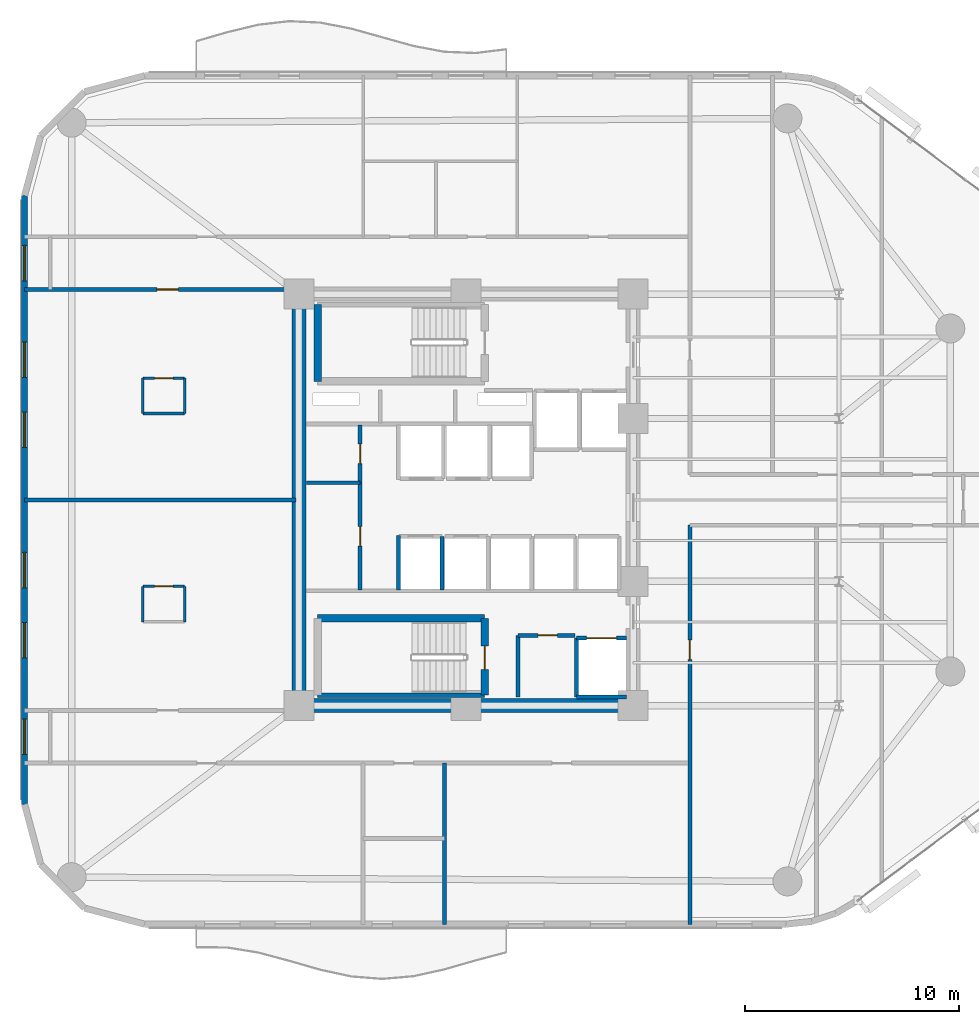
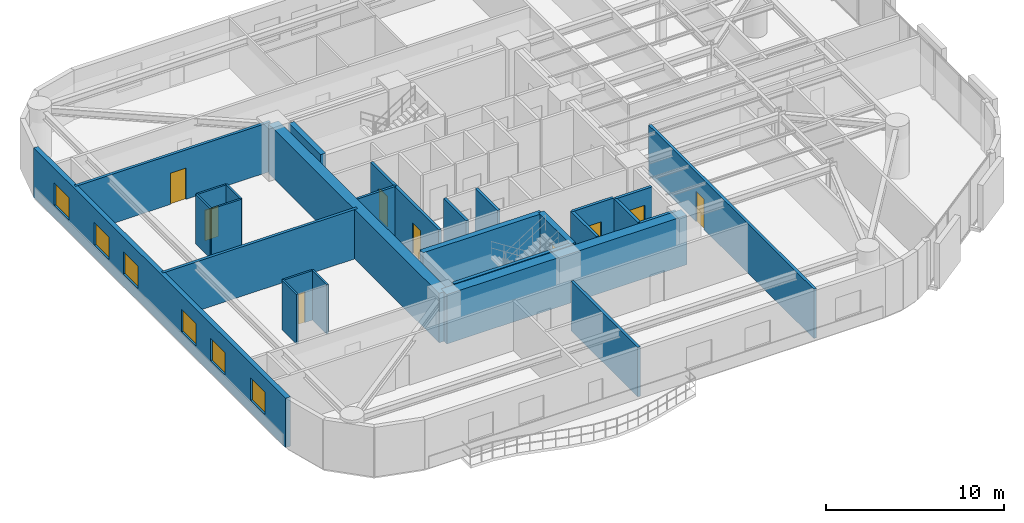
# One storey, part 10 of 16: 28 walls, 9 doors, 6 windows, 15 openings.
"""IFC4 building model written with IfcOpenShell, lengths in metres."""

from ifc_helpers import new_model, si_unit, direction, frame, frame_2d, origin, place, context, subcontext, project, spatial, rectangle, extrude, material, layer, layer_set, type_object, element, fill, save


model = new_model("IFC4")

# Units and contexts
model_context = context("Model", 3, precision=1e-05, world=origin(), true_north=direction((0.0, 1.0)))
body_context = subcontext(model_context, "Body", "Model", "MODEL_VIEW")
ifc_project = project(units=[si_unit("LENGTHUNIT", "METRE"), si_unit("AREAUNIT", "SQUARE_METRE"), si_unit("VOLUMEUNIT", "CUBIC_METRE"), si_unit("PLANEANGLEUNIT", "RADIAN"), si_unit("MASSUNIT", "GRAM", prefix="KILO")], contexts=[model_context])

# Site, building, storey
site_placement = place(None, origin())
site = spatial("IfcSite", under=ifc_project, at=site_placement, CompositionType="ELEMENT")
building_placement = place(site_placement, origin())
building = spatial("IfcBuilding", under=site, at=building_placement, Name="An Khanh Terracotta Commons", CompositionType="ELEMENT")
storey_placement = place(building_placement, frame((0.0, 0.0, 111.5)))
storey = spatial("IfcBuildingStorey", under=building, at=storey_placement, Name="L29", CompositionType="ELEMENT", Elevation=111.5)

# Walls
ifc_material_1 = material(Name="Concrete C60/75", Category="concrete")
ifc_layer_1 = layer(ifc_material_1, 0.64990234375, Name="Concrete C60/75")
ifc_layer_set_1 = layer_set([ifc_layer_1], Name="Concrete C60/75")
wall_type_1 = type_object("IfcWallType", Name="WALL-CORE-650", PredefinedType="SHEAR", material=ifc_layer_set_1)
wall_1_placement = place(storey_placement, frame((21.60009765625, 14.39990234375, 0.0), z_axis=(0.0, 0.0, 1.0), x_axis=(0.0, 1.0, 0.0)))
element("IfcWall", 1, at=wall_1_placement, inside=storey, type_object=wall_type_1, Name="L29 Core Wall CWALL-L29-W", PredefinedType="SHEAR", context=body_context, shape_type="SweptSolid", body=[
    extrude(rectangle(XDim=19.2001953125, YDim=0.64990234375, at=frame_2d((9.60009765625, 0.0))), origin(), (0.0, 0.0, 1.0), 3.39990234375),
])
wall_2_placement = place(storey_placement, frame((37.199951171875, 14.39990234375, 0.0), z_axis=(0.0, 0.0, 1.0), x_axis=(-1.0, 0.0, 0.0)))
element("IfcWall", 2, at=wall_2_placement, inside=storey, type_object=wall_type_1, Name="L29 Core Wall CWALL-L29-S", PredefinedType="SHEAR", context=body_context, shape_type="SweptSolid", body=[
    extrude(rectangle(XDim=15.599853515625, YDim=0.64990234375, at=frame_2d((7.7998046875, 0.0))), origin(), (0.0, 0.0, 1.0), 3.39990234375),
])

# Wall, opening, door
ifc_material_2 = material(Name="Fire-Rated Gypsum Board on Steel Stud", Category="steel")
ifc_layer_2 = layer(ifc_material_2, 0.179931640625, Name="Fire-Rated Gypsum Board on Steel Stud")
ifc_layer_set_2 = layer_set([ifc_layer_2], Name="Fire-Rated Gypsum Board on Steel Stud")
wall_type_2 = type_object("IfcWallType", Name="WALL-CORR-180", PredefinedType="PARTITIONING", material=ifc_layer_set_2)
wall_3_placement = place(storey_placement, frame((31.820068359375, 17.679931640625, 0.0), z_axis=(0.0, 0.0, 1.0), x_axis=(1.0, 0.0, 0.0)))
wall_3 = element("IfcWall", 3, at=wall_3_placement, inside=storey, type_object=wall_type_2, Name="L29 Core Wall SSVCW-L29-N", PredefinedType="PARTITIONING", context=body_context, shape_type="SweptSolid", body=[
    extrude(rectangle(XDim=2.659912109375, YDim=0.179931640625, at=frame_2d((1.330078125, 0.0))), origin(), (0.0, 0.0, 1.0), 3.39990234375),
])
opening_1_placement = place(wall_3_placement, frame((0.949951171875, 0.0, 0.0)))
opening_1 = element("IfcOpeningElement", 4, at=opening_1_placement, cuts=wall_3, Name="Opening D-SV", PredefinedType="OPENING", context=body_context, shape_type="SweptSolid", body=[
    extrude(rectangle(XDim=0.89990234375, YDim=2.050048828125, at=frame_2d((0.449951171875, 1.02490234375))), frame((0.0, 0.099853515625, 0.0), z_axis=(0.0, -1.0, 0.0), x_axis=(1.0, 0.0, 0.0)), (0.0, 0.0, 1.0), 0.199951171875),
])
ifc_material_3 = material(Name="Fire-Rated Powder-Coated Steel Door", Category="steel")
door_type_1 = type_object("IfcDoorType", Name="DOOR-SERV-900", OperationType="NOTDEFINED", PredefinedType="DOOR", material=ifc_material_3)
door_1_placement = place(opening_1_placement, origin())
door_1 = element("IfcDoor", 5, at=door_1_placement, inside=storey, type_object=door_type_1, Name="L29 Core Housekeeping Store Door", OperationType="SINGLE_SWING_LEFT", OverallHeight=2.050048828125, OverallWidth=0.89990234375, PredefinedType="DOOR", context=body_context, shape_type="SweptSolid", body=[
    extrude(rectangle(XDim=0.89990234375, YDim=2.050048828125, at=frame_2d((0.449951171875, 1.02490234375))), frame((0.0, 0.02490234375, 0.0), z_axis=(0.0, -1.0, 0.0), x_axis=(1.0, 0.0, 0.0)), (0.0, 0.0, 1.0), 0.050048828125),
])
fill(opening_1, door_1)

# Wall
wall_4_placement = place(storey_placement, frame((31.820068359375, 14.800048828125, 0.0), z_axis=(0.0, 0.0, 1.0), x_axis=(0.0, 1.0, 0.0)))
element("IfcWall", 6, at=wall_4_placement, inside=storey, type_object=wall_type_2, Name="L29 Core Wall SSVCW-L29-W", PredefinedType="PARTITIONING", context=body_context, shape_type="SweptSolid", body=[
    extrude(rectangle(XDim=2.8798828125, YDim=0.179931640625, at=frame_2d((1.43994140625, 0.0))), origin(), (0.0, 0.0, 1.0), 3.39990234375),
])

# Wall, opening, door
wall_5_placement = place(storey_placement, frame((34.550048828125, 17.550048828125, 0.0), z_axis=(0.0, 0.0, 1.0), x_axis=(1.0, 0.0, 0.0)))
wall_5 = element("IfcWall", 7, at=wall_5_placement, inside=storey, type_object=wall_type_2, Name="L29 Core Wall LSH-L29-SVL-01-N", PredefinedType="PARTITIONING", context=body_context, shape_type="SweptSolid", body=[
    extrude(rectangle(XDim=2.349853515625, YDim=0.179931640625, at=frame_2d((1.1748046875, 0.0))), origin(), (0.0, 0.0, 1.0), 3.39990234375),
])
opening_2_placement = place(wall_5_placement, frame((0.47509765625, 0.0, 0.0)))
opening_2 = element("IfcOpeningElement", 8, at=opening_2_placement, cuts=wall_5, Name="Opening LD-SVL-01-L29", PredefinedType="OPENING", context=body_context, shape_type="SweptSolid", body=[
    extrude(rectangle(XDim=1.39990234375, YDim=2.300048828125, at=frame_2d((0.699951171875, 1.14990234375))), frame((0.0, 0.099853515625, 0.0), z_axis=(0.0, -1.0, 0.0), x_axis=(1.0, 0.0, 0.0)), (0.0, 0.0, 1.0), 0.199951171875),
])
ifc_material_4 = material(Name="Heavy-Duty Stainless Steel Goods Landing Door", Category="steel")
door_type_2 = type_object("IfcDoorType", Name="DOOR-LD-SVL-1400", OperationType="NOTDEFINED", PredefinedType="DOOR", material=ifc_material_4)
door_2_placement = place(opening_2_placement, origin())
door_2 = element("IfcDoor", 9, at=door_2_placement, inside=storey, type_object=door_type_2, Name="L29 Lift SVL-01 Sliding Landing Door", OperationType="DOUBLE_DOOR_SLIDING", OverallHeight=2.300048828125, OverallWidth=1.39990234375, PredefinedType="DOOR", context=body_context, shape_type="SweptSolid", body=[
    extrude(rectangle(XDim=1.39990234375, YDim=2.300048828125, at=frame_2d((0.699951171875, 1.14990234375))), frame((0.0, 0.02490234375, 0.0), z_axis=(0.0, -1.0, 0.0), x_axis=(1.0, 0.0, 0.0)), (0.0, 0.0, 1.0), 0.050048828125),
])
fill(opening_2, door_2)

# Walls
wall_6_placement = place(storey_placement, frame((36.89990234375, 14.800048828125, 0.0), z_axis=(0.0, 0.0, 1.0), x_axis=(-1.0, 0.0, 0.0)))
element("IfcWall", 10, at=wall_6_placement, inside=storey, type_object=wall_type_2, Name="L29 Core Wall LSH-L29-SVL-01-S", PredefinedType="PARTITIONING", context=body_context, shape_type="SweptSolid", body=[
    extrude(rectangle(XDim=2.349853515625, YDim=0.179931640625, at=frame_2d((1.1748046875, 0.0))), origin(), (0.0, 0.0, 1.0), 3.39990234375),
])
wall_7_placement = place(storey_placement, frame((34.550048828125, 17.550048828125, 0.0), z_axis=(0.0, 0.0, 1.0), x_axis=(0.0, -1.0, 0.0)))
element("IfcWall", 11, at=wall_7_placement, inside=storey, type_object=wall_type_2, Name="L29 Core Wall LSH-L29-SVL-01-W", PredefinedType="PARTITIONING", context=body_context, shape_type="SweptSolid", body=[
    extrude(rectangle(XDim=2.75, YDim=0.179931640625, at=frame_2d((1.375, 0.0))), origin(), (0.0, 0.0, 1.0), 3.39990234375),
])
wall_8_placement = place(storey_placement, frame((28.280029296875, 19.800048828125, 0.0), z_axis=(0.0, 0.0, 1.0), x_axis=(0.0, 1.0, 0.0)))
element("IfcWall", 12, at=wall_8_placement, inside=storey, type_object=wall_type_2, Name="L29 Core Wall LSH-L29-PL-M3-E", PredefinedType="PARTITIONING", context=body_context, shape_type="SweptSolid", body=[
    extrude(rectangle(XDim=2.5, YDim=0.179931640625, at=frame_2d((1.25, 0.0))), origin(), (0.0, 0.0, 1.0), 3.39990234375),
])

# Wall, opening, door
wall_9_placement = place(storey_placement, frame((24.4599609375, 24.800048828125, 0.0), z_axis=(0.0, 0.0, 1.0), x_axis=(0.0, 1.0, 0.0)))
wall_9 = element("IfcWall", 13, at=wall_9_placement, inside=storey, type_object=wall_type_2, Name="L29 Core Wall RECW-L29-E1", PredefinedType="PARTITIONING", context=body_context, shape_type="SweptSolid", body=[
    extrude(rectangle(XDim=2.699951171875, YDim=0.179931640625, at=frame_2d((1.35009765625, 0.0))), origin(), (0.0, 0.0, 1.0), 3.39990234375),
])
opening_3_placement = place(wall_9_placement, frame((0.889892578125, 0.0, 0.0)))
opening_3 = element("IfcOpeningElement", 14, at=opening_3_placement, cuts=wall_9, Name="Opening D-RM", PredefinedType="OPENING", context=body_context, shape_type="SweptSolid", body=[
    extrude(rectangle(XDim=0.919921875, YDim=2.10009765625, at=frame_2d((0.4599609375, 1.050048828125))), frame((0.0, 0.099853515625, 0.0), z_axis=(0.0, -1.0, 0.0), x_axis=(1.0, 0.0, 0.0)), (0.0, 0.0, 1.0), 0.199951171875),
])
ifc_material_5 = material(Name="Engineered Hardwood Timber Leaf", Category="wood")
door_type_3 = type_object("IfcDoorType", Name="DOOR-INT-920", OperationType="NOTDEFINED", PredefinedType="DOOR", material=ifc_material_5)
door_3_placement = place(opening_3_placement, origin())
door_3 = element("IfcDoor", 15, at=door_3_placement, inside=storey, type_object=door_type_3, Name="L29 Floor Pantry and Ice Room Door", OperationType="SINGLE_SWING_RIGHT", OverallHeight=2.10009765625, OverallWidth=0.919921875, PredefinedType="DOOR", context=body_context, shape_type="SweptSolid", body=[
    extrude(rectangle(XDim=0.919921875, YDim=2.10009765625, at=frame_2d((0.4599609375, 1.050048828125))), frame((0.0, 0.02490234375, 0.0), z_axis=(0.0, -1.0, 0.0), x_axis=(1.0, 0.0, 0.0)), (0.0, 0.0, 1.0), 0.050048828125),
])
fill(opening_3, door_3)

wall_10_placement = place(storey_placement, frame((24.4599609375, 19.800048828125, 0.0), z_axis=(0.0, 0.0, 1.0), x_axis=(0.0, 1.0, 0.0)))
wall_10 = element("IfcWall", 16, at=wall_10_placement, inside=storey, type_object=wall_type_2, Name="L29 Core Wall RECW-L29-E2", PredefinedType="PARTITIONING", context=body_context, shape_type="SweptSolid", body=[
    extrude(rectangle(XDim=5.0, YDim=0.179931640625, at=frame_2d((2.5, 0.0))), origin(), (0.0, 0.0, 1.0), 3.39990234375),
])
opening_4_placement = place(wall_10_placement, frame((2.0400390625, 0.0, 0.0)))
opening_4 = element("IfcOpeningElement", 17, at=opening_4_placement, cuts=wall_10, Name="Opening D-RM", PredefinedType="OPENING", context=body_context, shape_type="SweptSolid", body=[
    extrude(rectangle(XDim=0.919921875, YDim=2.10009765625, at=frame_2d((0.4599609375, 1.050048828125))), frame((0.0, 0.099853515625, 0.0), z_axis=(0.0, -1.0, 0.0), x_axis=(1.0, 0.0, 0.0)), (0.0, 0.0, 1.0), 0.199951171875),
])
door_4_placement = place(opening_4_placement, origin())
door_4 = element("IfcDoor", 18, at=door_4_placement, inside=storey, type_object=door_type_3, Name="L29 Luggage Locker Room Door", OperationType="SINGLE_SWING_LEFT", OverallHeight=2.10009765625, OverallWidth=0.919921875, PredefinedType="DOOR", context=body_context, shape_type="SweptSolid", body=[
    extrude(rectangle(XDim=0.919921875, YDim=2.10009765625, at=frame_2d((0.4599609375, 1.050048828125))), frame((0.0, 0.02490234375, 0.0), z_axis=(0.0, -1.0, 0.0), x_axis=(1.0, 0.0, 0.0)), (0.0, 0.0, 1.0), 0.050048828125),
])
fill(opening_4, door_4)

# Walls
wall_11_placement = place(storey_placement, frame((26.25, 19.800048828125, 0.0), z_axis=(0.0, 0.0, 1.0), x_axis=(0.0, 1.0, 0.0)))
element("IfcWall", 19, at=wall_11_placement, inside=storey, type_object=wall_type_2, Name="L29 Core Wall RECW-L29-BE2", PredefinedType="PARTITIONING", context=body_context, shape_type="SweptSolid", body=[
    extrude(rectangle(XDim=2.550048828125, YDim=0.179931640625, at=frame_2d((1.27490234375, 0.0))), origin(), (0.0, 0.0, 1.0), 3.39990234375),
])
wall_12_placement = place(storey_placement, frame((8.800048828125, 24.0, 0.0), z_axis=(0.0, 0.0, 1.0), x_axis=(1.0, 0.0, 0.0)))
element("IfcWall", 20, at=wall_12_placement, inside=storey, type_object=wall_type_2, Name="L29 Interior Partition IW-L29-E005", PredefinedType="PARTITIONING", context=body_context, shape_type="SweptSolid", body=[
    extrude(rectangle(XDim=12.679931640625, YDim=0.179931640625, at=frame_2d((6.33984375, 0.0))), origin(), (0.0, 0.0, 1.0), 3.39990234375),
])

# Wall, opening, door
wall_13_placement = place(storey_placement, frame((8.800048828125, 33.820068359375, 0.0), z_axis=(0.0, 0.0, 1.0), x_axis=(1.0, 0.0, 0.0)))
wall_13 = element("IfcWall", 21, at=wall_13_placement, inside=storey, type_object=wall_type_2, Name="L29 Interior Partition IW-L29-E007", PredefinedType="PARTITIONING", context=body_context, shape_type="SweptSolid", body=[
    extrude(rectangle(XDim=12.679931640625, YDim=0.179931640625, at=frame_2d((6.33984375, 0.0))), origin(), (0.0, 0.0, 1.0), 3.39990234375),
])
opening_5_placement = place(wall_13_placement, frame((6.179931640625, 0.0, 0.0)))
opening_5 = element("IfcOpeningElement", 22, at=opening_5_placement, cuts=wall_13, Name="Opening D-UN", PredefinedType="OPENING", context=body_context, shape_type="SweptSolid", body=[
    extrude(rectangle(XDim=1.0, YDim=2.14990234375, at=frame_2d((0.5, 1.074951171875))), frame((0.0, 0.099853515625, 0.0), z_axis=(0.0, -1.0, 0.0), x_axis=(1.0, 0.0, 0.0)), (0.0, 0.0, 1.0), 0.199951171875),
])
ifc_material_6 = material(Name="Solid-Core Hardwood Acoustic Fire Door", Category="wood")
door_type_4 = type_object("IfcDoorType", Name="DOOR-UNIT-1000", OperationType="NOTDEFINED", PredefinedType="DOOR", material=ifc_material_6)
door_5_placement = place(opening_5_placement, origin())
door_5 = element("IfcDoor", 23, at=door_5_placement, inside=storey, type_object=door_type_4, Name="L29 WW2 Kitchenette and Studio Apartment Door", OperationType="SINGLE_SWING_LEFT", OverallHeight=2.14990234375, OverallWidth=1.0, PredefinedType="DOOR", context=body_context, shape_type="SweptSolid", body=[
    extrude(rectangle(XDim=1.0, YDim=2.14990234375, at=frame_2d((0.5, 1.074951171875))), frame((0.0, 0.02490234375, 0.0), z_axis=(0.0, -1.0, 0.0), x_axis=(1.0, 0.0, 0.0)), (0.0, 0.0, 1.0), 0.050048828125),
])
fill(opening_5, door_5)

# Wall
wall_14_placement = place(storey_placement, frame((28.39990234375, 4.199951171875, 0.0), z_axis=(0.0, 0.0, 1.0), x_axis=(0.0, 1.0, 0.0)))
element("IfcWall", 24, at=wall_14_placement, inside=storey, type_object=wall_type_2, Name="L29 Interior Partition IW-L29-E015", PredefinedType="PARTITIONING", context=body_context, shape_type="SweptSolid", body=[
    extrude(rectangle(XDim=7.52001953125, YDim=0.179931640625, at=frame_2d((3.760009765625, 0.0))), origin(), (0.0, 0.0, 1.0), 3.39990234375),
])

# Wall, opening, door
wall_15_placement = place(storey_placement, frame((39.85009765625, 4.199951171875, 0.0), z_axis=(0.0, 0.0, 1.0), x_axis=(0.0, 1.0, 0.0)))
wall_15 = element("IfcWall", 25, at=wall_15_placement, inside=storey, type_object=wall_type_2, Name="L29 Interior Partition IW-L29-E017", PredefinedType="PARTITIONING", context=body_context, shape_type="SweptSolid", body=[
    extrude(rectangle(XDim=18.6201171875, YDim=0.179931640625, at=frame_2d((9.31005859375, 0.0))), origin(), (0.0, 0.0, 1.0), 3.39990234375),
])
opening_6_placement = place(wall_15_placement, frame((12.35009765625, 0.0, 0.0)))
opening_6 = element("IfcOpeningElement", 26, at=opening_6_placement, cuts=wall_15, Name="Opening D-RM", PredefinedType="OPENING", context=body_context, shape_type="SweptSolid", body=[
    extrude(rectangle(XDim=0.919921875, YDim=2.10009765625, at=frame_2d((0.4599609375, 1.050048828125))), frame((0.0, 0.099853515625, 0.0), z_axis=(0.0, -1.0, 0.0), x_axis=(1.0, 0.0, 0.0)), (0.0, 0.0, 1.0), 0.199951171875),
])
door_6_placement = place(opening_6_placement, origin())
door_6 = element("IfcDoor", 27, at=door_6_placement, inside=storey, type_object=door_type_3, Name="L29 SB1 Collaborative Study Lounge Door", OperationType="SINGLE_SWING_LEFT", OverallHeight=2.10009765625, OverallWidth=0.919921875, PredefinedType="DOOR", context=body_context, shape_type="SweptSolid", body=[
    extrude(rectangle(XDim=0.919921875, YDim=2.10009765625, at=frame_2d((0.4599609375, 1.050048828125))), frame((0.0, 0.02490234375, 0.0), z_axis=(0.0, -1.0, 0.0), x_axis=(1.0, 0.0, 0.0)), (0.0, 0.0, 1.0), 0.050048828125),
])
fill(opening_6, door_6)

# Wall, openings, windows
ifc_material_7 = material(Name="Precast concrete C40/50", Category="concrete")
ifc_layer_3 = layer(ifc_material_7, 0.300048828125, Name="Precast concrete C40/50")
ifc_layer_set_3 = layer_set([ifc_layer_3], Name="Precast concrete C40/50")
wall_type_3 = type_object("IfcWallType", Name="WALL-EXT-300", PredefinedType="SOLIDWALL", material=ifc_layer_set_3)
wall_16_placement = place(storey_placement, frame((8.800048828125, 38.199951171875, 0.0), z_axis=(0.0, 0.0, 1.0), x_axis=(0.0, -1.0, 0.0)))
wall_16 = element("IfcWall", 28, at=wall_16_placement, inside=storey, type_object=wall_type_3, Name="L29 Insulated Terracotta Exterior Wall 24", PredefinedType="SOLIDWALL", context=body_context, shape_type="SweptSolid", body=[
    extrude(rectangle(XDim=28.39990234375, YDim=0.300048828125, at=frame_2d((14.199951171875, 0.0))), origin(), (0.0, 0.0, 1.0), 3.39990234375),
])
opening_7_placement = place(wall_16_placement, frame((2.324951171875, 0.0, 0.85009765625)))
opening_7 = element("IfcOpeningElement", 29, at=opening_7_placement, cuts=wall_16, Name="Opening W-02", PredefinedType="OPENING", context=body_context, shape_type="SweptSolid", body=[
    extrude(rectangle(XDim=1.64990234375, YDim=1.550048828125, at=frame_2d((0.824951171875, 0.77490234375))), frame((0.0, 0.159912109375, 0.0), z_axis=(0.0, -1.0, 0.0), x_axis=(1.0, 0.0, 0.0)), (0.0, 0.0, 1.0), 0.320068359375),
])
opening_8_placement = place(wall_16_placement, frame((6.827880859375, 0.0, 0.85009765625)))
opening_8 = element("IfcOpeningElement", 30, at=opening_8_placement, cuts=wall_16, Name="Opening W-02", PredefinedType="OPENING", context=body_context, shape_type="SweptSolid", body=[
    extrude(rectangle(XDim=1.64990234375, YDim=1.550048828125, at=frame_2d((0.824951171875, 0.77490234375))), frame((0.0, 0.159912109375, 0.0), z_axis=(0.0, -1.0, 0.0), x_axis=(1.0, 0.0, 0.0)), (0.0, 0.0, 1.0), 0.320068359375),
])
opening_9_placement = place(wall_16_placement, frame((10.10205078125, 0.0, 0.85009765625)))
opening_9 = element("IfcOpeningElement", 31, at=opening_9_placement, cuts=wall_16, Name="Opening W-02", PredefinedType="OPENING", context=body_context, shape_type="SweptSolid", body=[
    extrude(rectangle(XDim=1.64990234375, YDim=1.550048828125, at=frame_2d((0.824951171875, 0.77490234375))), frame((0.0, 0.159912109375, 0.0), z_axis=(0.0, -1.0, 0.0), x_axis=(1.0, 0.0, 0.0)), (0.0, 0.0, 1.0), 0.320068359375),
])
opening_10_placement = place(wall_16_placement, frame((16.64794921875, 0.0, 0.85009765625)))
opening_10 = element("IfcOpeningElement", 32, at=opening_10_placement, cuts=wall_16, Name="Opening W-02", PredefinedType="OPENING", context=body_context, shape_type="SweptSolid", body=[
    extrude(rectangle(XDim=1.64990234375, YDim=1.550048828125, at=frame_2d((0.824951171875, 0.77490234375))), frame((0.0, 0.159912109375, 0.0), z_axis=(0.0, -1.0, 0.0), x_axis=(1.0, 0.0, 0.0)), (0.0, 0.0, 1.0), 0.320068359375),
])
opening_11_placement = place(wall_16_placement, frame((19.922119140625, 0.0, 0.85009765625)))
opening_11 = element("IfcOpeningElement", 33, at=opening_11_placement, cuts=wall_16, Name="Opening W-02", PredefinedType="OPENING", context=body_context, shape_type="SweptSolid", body=[
    extrude(rectangle(XDim=1.64990234375, YDim=1.550048828125, at=frame_2d((0.824951171875, 0.77490234375))), frame((0.0, 0.159912109375, 0.0), z_axis=(0.0, -1.0, 0.0), x_axis=(1.0, 0.0, 0.0)), (0.0, 0.0, 1.0), 0.320068359375),
])
opening_12_placement = place(wall_16_placement, frame((24.425048828125, 0.0, 0.85009765625)))
opening_12 = element("IfcOpeningElement", 34, at=opening_12_placement, cuts=wall_16, Name="Opening W-02", PredefinedType="OPENING", context=body_context, shape_type="SweptSolid", body=[
    extrude(rectangle(XDim=1.64990234375, YDim=1.550048828125, at=frame_2d((0.824951171875, 0.77490234375))), frame((0.0, 0.159912109375, 0.0), z_axis=(0.0, -1.0, 0.0), x_axis=(1.0, 0.0, 0.0)), (0.0, 0.0, 1.0), 0.320068359375),
])
ifc_material_8 = material(Name="Thermally Broken Aluminium and Low-E Glass", Category="aluminium")
window_type = type_object("IfcWindowType", Name="WIN-Z2-1650x1550", PartitioningType="DOUBLE_PANEL_VERTICAL", PredefinedType="WINDOW", material=ifc_material_8)
window_1_placement = place(opening_7_placement, origin())
window_1 = element("IfcWindow", 35, at=window_1_placement, inside=storey, type_object=window_type, Name="L29 Operable Casement Window 24.1", OverallHeight=1.550048828125, OverallWidth=1.64990234375, PartitioningType="DOUBLE_PANEL_VERTICAL", PredefinedType="WINDOW", context=body_context, shape_type="SweptSolid", body=[
    extrude(rectangle(XDim=1.64990234375, YDim=1.550048828125, at=frame_2d((0.824951171875, 0.77490234375))), frame((0.0, 0.030029296875, 0.0), z_axis=(0.0, -1.0, 0.0), x_axis=(1.0, 0.0, 0.0)), (0.0, 0.0, 1.0), 0.06005859375),
])
fill(opening_7, window_1)
window_2_placement = place(opening_8_placement, origin())
window_2 = element("IfcWindow", 36, at=window_2_placement, inside=storey, type_object=window_type, Name="L29 Operable Casement Window 24.2", OverallHeight=1.550048828125, OverallWidth=1.64990234375, PartitioningType="DOUBLE_PANEL_VERTICAL", PredefinedType="WINDOW", context=body_context, shape_type="SweptSolid", body=[
    extrude(rectangle(XDim=1.64990234375, YDim=1.550048828125, at=frame_2d((0.824951171875, 0.77490234375))), frame((0.0, 0.030029296875, 0.0), z_axis=(0.0, -1.0, 0.0), x_axis=(1.0, 0.0, 0.0)), (0.0, 0.0, 1.0), 0.06005859375),
])
fill(opening_8, window_2)
window_3_placement = place(opening_9_placement, origin())
window_3 = element("IfcWindow", 37, at=window_3_placement, inside=storey, type_object=window_type, Name="L29 Operable Casement Window 24.3", OverallHeight=1.550048828125, OverallWidth=1.64990234375, PartitioningType="DOUBLE_PANEL_VERTICAL", PredefinedType="WINDOW", context=body_context, shape_type="SweptSolid", body=[
    extrude(rectangle(XDim=1.64990234375, YDim=1.550048828125, at=frame_2d((0.824951171875, 0.77490234375))), frame((0.0, 0.030029296875, 0.0), z_axis=(0.0, -1.0, 0.0), x_axis=(1.0, 0.0, 0.0)), (0.0, 0.0, 1.0), 0.06005859375),
])
fill(opening_9, window_3)
window_4_placement = place(opening_10_placement, origin())
window_4 = element("IfcWindow", 38, at=window_4_placement, inside=storey, type_object=window_type, Name="L29 Operable Casement Window 24.4", OverallHeight=1.550048828125, OverallWidth=1.64990234375, PartitioningType="DOUBLE_PANEL_VERTICAL", PredefinedType="WINDOW", context=body_context, shape_type="SweptSolid", body=[
    extrude(rectangle(XDim=1.64990234375, YDim=1.550048828125, at=frame_2d((0.824951171875, 0.77490234375))), frame((0.0, 0.030029296875, 0.0), z_axis=(0.0, -1.0, 0.0), x_axis=(1.0, 0.0, 0.0)), (0.0, 0.0, 1.0), 0.06005859375),
])
fill(opening_10, window_4)
window_5_placement = place(opening_11_placement, origin())
window_5 = element("IfcWindow", 39, at=window_5_placement, inside=storey, type_object=window_type, Name="L29 Operable Casement Window 24.5", OverallHeight=1.550048828125, OverallWidth=1.64990234375, PartitioningType="DOUBLE_PANEL_VERTICAL", PredefinedType="WINDOW", context=body_context, shape_type="SweptSolid", body=[
    extrude(rectangle(XDim=1.64990234375, YDim=1.550048828125, at=frame_2d((0.824951171875, 0.77490234375))), frame((0.0, 0.030029296875, 0.0), z_axis=(0.0, -1.0, 0.0), x_axis=(1.0, 0.0, 0.0)), (0.0, 0.0, 1.0), 0.06005859375),
])
fill(opening_11, window_5)
window_6_placement = place(opening_12_placement, origin())
window_6 = element("IfcWindow", 40, at=window_6_placement, inside=storey, type_object=window_type, Name="L29 Operable Casement Window 24.6", OverallHeight=1.550048828125, OverallWidth=1.64990234375, PartitioningType="DOUBLE_PANEL_VERTICAL", PredefinedType="WINDOW", context=body_context, shape_type="SweptSolid", body=[
    extrude(rectangle(XDim=1.64990234375, YDim=1.550048828125, at=frame_2d((0.824951171875, 0.77490234375))), frame((0.0, 0.030029296875, 0.0), z_axis=(0.0, -1.0, 0.0), x_axis=(1.0, 0.0, 0.0)), (0.0, 0.0, 1.0), 0.06005859375),
])
fill(opening_12, window_6)

# Walls
ifc_material_9 = material(Name="Acoustic Gypsum Board Partition")
ifc_layer_4 = layer(ifc_material_9, 0.14990234375, Name="Acoustic Gypsum Board Partition")
ifc_layer_set_4 = layer_set([ifc_layer_4], Name="Acoustic Gypsum Board Partition")
wall_type_4 = type_object("IfcWallType", Name="WALL-PART-150", PredefinedType="PARTITIONING", material=ifc_layer_set_4)
wall_17_placement = place(storey_placement, frame((21.949951171875, 24.800048828125, 0.0), z_axis=(0.0, 0.0, 1.0), x_axis=(1.0, 0.0, 0.0)))
element("IfcWall", 41, at=wall_17_placement, inside=storey, type_object=wall_type_4, Name="L29 Core Wall RECW-L29-M", PredefinedType="PARTITIONING", context=body_context, shape_type="SweptSolid", body=[
    extrude(rectangle(XDim=2.510009765625, YDim=0.14990234375, at=frame_2d((1.2548828125, 0.0))), origin(), (0.0, 0.0, 1.0), 3.39990234375),
])
ifc_material_10 = material(Name="Acoustic Double-Stud Gypsum and Mineral Wool")
ifc_layer_5 = layer(ifc_material_10, 0.219970703125, Name="Acoustic Double-Stud Gypsum and Mineral Wool")
ifc_layer_set_5 = layer_set([ifc_layer_5], Name="Acoustic Double-Stud Gypsum and Mineral Wool")
wall_type_5 = type_object("IfcWallType", Name="WALL-PARTY-220", PredefinedType="PARTITIONING", material=ifc_layer_set_5)
wall_18_placement = place(storey_placement, frame((22.47998046875, 14.889892578125, 0.0), z_axis=(0.0, 0.0, 1.0), x_axis=(1.0, 0.0, 0.0)))
element("IfcWall", 42, at=wall_18_placement, inside=storey, type_object=wall_type_5, Name="L29 Core Wall STW-L29-S-S", PredefinedType="PARTITIONING", context=body_context, shape_type="SweptSolid", body=[
    extrude(rectangle(XDim=7.7900390625, YDim=0.219970703125, at=frame_2d((3.89501953125, 0.0))), origin(), (0.0, 0.0, 1.0), 3.39990234375),
])
ifc_material_11 = material(Name="Concrete C50/60", Category="concrete")
ifc_layer_6 = layer(ifc_material_11, 0.35009765625, Name="Concrete C50/60")
ifc_layer_set_6 = layer_set([ifc_layer_6], Name="Concrete C50/60")
wall_type_6 = type_object("IfcWallType", Name="WALL-SHAFT-350", PredefinedType="SOLIDWALL", material=ifc_layer_set_6)
wall_19_placement = place(storey_placement, frame((22.47998046875, 29.530029296875, 0.0), z_axis=(0.0, 0.0, 1.0), x_axis=(0.0, 1.0, 0.0)))
element("IfcWall", 43, at=wall_19_placement, inside=storey, type_object=wall_type_6, Name="L29 Core Wall STW-L29-N-W", PredefinedType="SOLIDWALL", context=body_context, shape_type="SweptSolid", body=[
    extrude(rectangle(XDim=3.580078125, YDim=0.35009765625, at=frame_2d((1.7900390625, 0.0))), origin(), (0.0, 0.0, 1.0), 3.39990234375),
])
wall_20_placement = place(storey_placement, frame((22.47998046875, 18.469970703125, 0.0), z_axis=(0.0, 0.0, 1.0), x_axis=(1.0, 0.0, 0.0)))
element("IfcWall", 44, at=wall_20_placement, inside=storey, type_object=wall_type_6, Name="L29 Core Wall STW-L29-S-N", PredefinedType="SOLIDWALL", context=body_context, shape_type="SweptSolid", body=[
    extrude(rectangle(XDim=7.7900390625, YDim=0.35009765625, at=frame_2d((3.89501953125, 0.0))), origin(), (0.0, 0.0, 1.0), 3.39990234375),
])

# Wall, opening, door
wall_21_placement = place(storey_placement, frame((30.27001953125, 14.889892578125, 0.0), z_axis=(0.0, 0.0, 1.0), x_axis=(0.0, 1.0, 0.0)))
wall_21 = element("IfcWall", 45, at=wall_21_placement, inside=storey, type_object=wall_type_6, Name="L29 Core Wall STW-L29-S-E", PredefinedType="SOLIDWALL", context=body_context, shape_type="SweptSolid", body=[
    extrude(rectangle(XDim=3.580078125, YDim=0.35009765625, at=frame_2d((1.7900390625, 0.0))), origin(), (0.0, 0.0, 1.0), 3.39990234375),
])
opening_13_placement = place(wall_21_placement, frame((1.18994140625, 0.0, 0.0)))
opening_13 = element("IfcOpeningElement", 46, at=opening_13_placement, cuts=wall_21, Name="Opening D-ST", PredefinedType="OPENING", context=body_context, shape_type="SweptSolid", body=[
    extrude(rectangle(XDim=1.10009765625, YDim=2.14990234375, at=frame_2d((0.550048828125, 1.074951171875))), frame((0.0, 0.18505859375, 0.0), z_axis=(0.0, -1.0, 0.0), x_axis=(1.0, 0.0, 0.0)), (0.0, 0.0, 1.0), 0.3701171875),
])
ifc_material_12 = material(Name="Fire-Rated Steel Leaf and Frame", Category="steel")
door_type_5 = type_object("IfcDoorType", Name="DOOR-STAIR-1100", OperationType="NOTDEFINED", PredefinedType="DOOR", material=ifc_material_12)
door_7_placement = place(opening_13_placement, origin())
door_7 = element("IfcDoor", 47, at=door_7_placement, inside=storey, type_object=door_type_5, Name="L29 Stair ST-02 Fire Door", OperationType="SINGLE_SWING_RIGHT", OverallHeight=2.14990234375, OverallWidth=1.10009765625, PredefinedType="DOOR", context=body_context, shape_type="SweptSolid", body=[
    extrude(rectangle(XDim=1.10009765625, YDim=2.14990234375, at=frame_2d((0.550048828125, 1.074951171875))), frame((0.0, 0.02490234375, 0.0), z_axis=(0.0, -1.0, 0.0), x_axis=(1.0, 0.0, 0.0)), (0.0, 0.0, 1.0), 0.050048828125),
])
fill(opening_13, door_7)

ifc_material_13 = material(Name="Moisture-Resistant Cement Board Partition")
ifc_layer_7 = layer(ifc_material_13, 0.1201171875, Name="Moisture-Resistant Cement Board Partition")
ifc_layer_set_7 = layer_set([ifc_layer_7], Name="Moisture-Resistant Cement Board Partition")
wall_type_7 = type_object("IfcWallType", Name="WALL-WET-120", PredefinedType="PARTITIONING", material=ifc_layer_set_7)
wall_22_placement = place(storey_placement, frame((14.324951171875, 19.965087890625, 0.0), z_axis=(0.0, 0.0, 1.0), x_axis=(1.0, 0.0, 0.0)))
wall_22 = element("IfcWall", 48, at=wall_22_placement, inside=storey, type_object=wall_type_7, Name="L29 Interior Partition IW-L29-WW1-BN", PredefinedType="PARTITIONING", context=body_context, shape_type="SweptSolid", body=[
    extrude(rectangle(XDim=1.949951171875, YDim=0.1201171875, at=frame_2d((0.97509765625, 0.0))), origin(), (0.0, 0.0, 1.0), 3.39990234375),
])
opening_14_placement = place(wall_22_placement, frame((0.544921875, 0.0, 0.0)))
opening_14 = element("IfcOpeningElement", 49, at=opening_14_placement, cuts=wall_22, Name="Opening D-ENS", PredefinedType="OPENING", context=body_context, shape_type="SweptSolid", body=[
    extrude(rectangle(XDim=0.860107421875, YDim=2.10009765625, at=frame_2d((0.43017578125, 1.050048828125))), frame((0.0, 0.070068359375, 0.0), z_axis=(0.0, -1.0, 0.0), x_axis=(1.0, 0.0, 0.0)), (0.0, 0.0, 1.0), 0.14013671875),
])
ifc_material_14 = material(Name="Moisture-Resistant Hardwood Timber Leaf", Category="wood")
door_type_6 = type_object("IfcDoorType", Name="DOOR-BATH-860", OperationType="NOTDEFINED", PredefinedType="DOOR", material=ifc_material_14)
door_8_placement = place(opening_14_placement, origin())
door_8 = element("IfcDoor", 50, at=door_8_placement, inside=storey, type_object=door_type_6, Name="L29 Studio WW1 En-suite Door", OperationType="SINGLE_SWING_RIGHT", OverallHeight=2.10009765625, OverallWidth=0.860107421875, PredefinedType="DOOR", context=body_context, shape_type="SweptSolid", body=[
    extrude(rectangle(XDim=0.860107421875, YDim=2.10009765625, at=frame_2d((0.43017578125, 1.050048828125))), frame((0.0, 0.02490234375, 0.0), z_axis=(0.0, -1.0, 0.0), x_axis=(1.0, 0.0, 0.0)), (0.0, 0.0, 1.0), 0.050048828125),
])
fill(opening_14, door_8)

# Walls
for number, where, z_axis, x_axis, name in (
    (51, (14.324951171875, 19.965087890625, 0.0), (0.0, 0.0, 1.0), (0.0, -1.0, 0.0), "L29 Interior Partition IW-L29-WW1-BW"),
    (52, (16.27490234375, 18.31494140625, 0.0), (0.0, 0.0, 1.0), (0.0, 1.0, 0.0), "L29 Interior Partition IW-L29-WW1-BE"),
):
    element("IfcWall", number, at=place(storey_placement, frame(where, z_axis=z_axis, x_axis=x_axis)), inside=storey, type_object=wall_type_7, Name=name, PredefinedType="PARTITIONING", context=body_context, shape_type="SweptSolid", body=[
        extrude(rectangle(XDim=1.650146484375, YDim=0.1201171875, at=frame_2d((0.8251953125, 0.0))), origin(), (0.0, 0.0, 1.0), 3.39990234375),
    ])

# Wall, opening, door
wall_23_placement = place(storey_placement, frame((14.324951171875, 29.68505859375, 0.0), z_axis=(0.0, 0.0, 1.0), x_axis=(1.0, 0.0, 0.0)))
wall_23 = element("IfcWall", 53, at=wall_23_placement, inside=storey, type_object=wall_type_7, Name="L29 Interior Partition IW-L29-WW2-BN", PredefinedType="PARTITIONING", context=body_context, shape_type="SweptSolid", body=[
    extrude(rectangle(XDim=1.949951171875, YDim=0.1201171875, at=frame_2d((0.97509765625, 0.0))), origin(), (0.0, 0.0, 1.0), 3.39990234375),
])
opening_15_placement = place(wall_23_placement, frame((0.544921875, 0.0, 0.0)))
opening_15 = element("IfcOpeningElement", 54, at=opening_15_placement, cuts=wall_23, Name="Opening D-ENS", PredefinedType="OPENING", context=body_context, shape_type="SweptSolid", body=[
    extrude(rectangle(XDim=0.860107421875, YDim=2.10009765625, at=frame_2d((0.43017578125, 1.050048828125))), frame((0.0, 0.070068359375, 0.0), z_axis=(0.0, -1.0, 0.0), x_axis=(1.0, 0.0, 0.0)), (0.0, 0.0, 1.0), 0.14013671875),
])
door_9_placement = place(opening_15_placement, origin())
door_9 = element("IfcDoor", 55, at=door_9_placement, inside=storey, type_object=door_type_6, Name="L29 Studio WW2 En-suite Door", OperationType="SINGLE_SWING_LEFT", OverallHeight=2.10009765625, OverallWidth=0.860107421875, PredefinedType="DOOR", context=body_context, shape_type="SweptSolid", body=[
    extrude(rectangle(XDim=0.860107421875, YDim=2.10009765625, at=frame_2d((0.43017578125, 1.050048828125))), frame((0.0, 0.02490234375, 0.0), z_axis=(0.0, -1.0, 0.0), x_axis=(1.0, 0.0, 0.0)), (0.0, 0.0, 1.0), 0.050048828125),
])
fill(opening_15, door_9)

# Walls
wall_24_placement = place(storey_placement, frame((16.27490234375, 28.034912109375, 0.0), z_axis=(0.0, 0.0, 1.0), x_axis=(-1.0, 0.0, 0.0)))
element("IfcWall", 56, at=wall_24_placement, inside=storey, type_object=wall_type_7, Name="L29 Interior Partition IW-L29-WW2-BS", PredefinedType="PARTITIONING", context=body_context, shape_type="SweptSolid", body=[
    extrude(rectangle(XDim=1.949951171875, YDim=0.1201171875, at=frame_2d((0.97509765625, 0.0))), origin(), (0.0, 0.0, 1.0), 3.39990234375),
])
for number, where, z_axis, x_axis, name in (
    (57, (14.324951171875, 29.68505859375, 0.0), (0.0, 0.0, 1.0), (0.0, -1.0, 0.0), "L29 Interior Partition IW-L29-WW2-BW"),
    (58, (16.27490234375, 28.034912109375, 0.0), (0.0, 0.0, 1.0), (0.0, 1.0, 0.0), "L29 Interior Partition IW-L29-WW2-BE"),
):
    element("IfcWall", number, at=place(storey_placement, frame(where, z_axis=z_axis, x_axis=x_axis)), inside=storey, type_object=wall_type_7, Name=name, PredefinedType="PARTITIONING", context=body_context, shape_type="SweptSolid", body=[
        extrude(rectangle(XDim=1.650146484375, YDim=0.1201171875, at=frame_2d((0.8251953125, 0.0))), origin(), (0.0, 0.0, 1.0), 3.39990234375),
    ])

save(model, "model.ifc")
